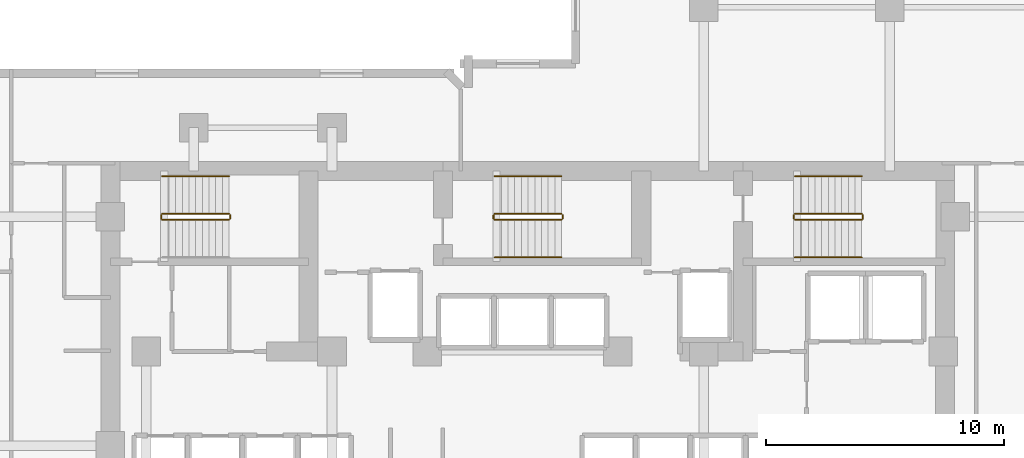
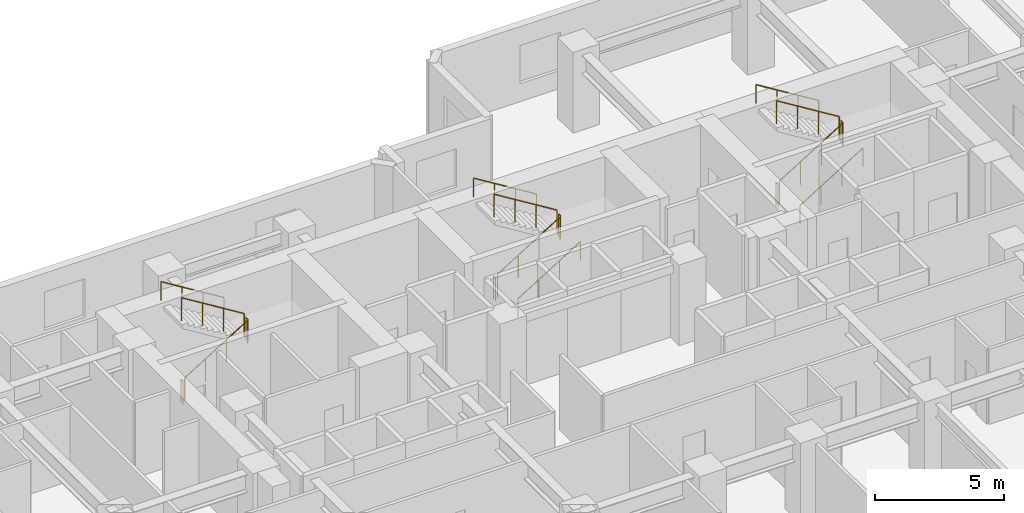
# One storey, part 12 of 12: 17 railings.
"""IFC4 building model written with IfcOpenShell, lengths in metres."""

from ifc_helpers import new_model, si_unit, direction, frame, origin, origin_2d, place, context, subcontext, project, spatial, circle, extrude, material, type_object, element, save


model = new_model("IFC4")

# Units and contexts
model_context = context("Model", 3, precision=1e-05, world=origin(), true_north=direction((0.0, 1.0)))
body_context = subcontext(model_context, "Body", "Model", "MODEL_VIEW")
ifc_project = project(units=[si_unit("LENGTHUNIT", "METRE"), si_unit("AREAUNIT", "SQUARE_METRE"), si_unit("VOLUMEUNIT", "CUBIC_METRE"), si_unit("PLANEANGLEUNIT", "RADIAN"), si_unit("MASSUNIT", "GRAM", prefix="KILO")], contexts=[model_context])

# Site, building, storey
site_placement = place(None, origin())
site = spatial("IfcSite", under=ifc_project, at=site_placement, CompositionType="ELEMENT")
building_placement = place(site_placement, origin())
building = spatial("IfcBuilding", under=site, at=building_placement, Name="Kestravale Grand Hotel", CompositionType="ELEMENT")
storey_placement = place(building_placement, frame((0.0, 0.0, 103.199951171875)))
storey = spatial("IfcBuildingStorey", under=building, at=storey_placement, Name="L25", CompositionType="ELEMENT", Elevation=103.199951171875)

# Railings
ifc_material_1 = material(Name="Painted tubular steel stair well guard", Category="steel")
railing_type_1 = type_object("IfcRailingType", Name="RL-ST-GRD1100", PredefinedType="GUARDRAIL", material=ifc_material_1)
railing_1_placement = place(storey_placement, frame((24.080078125, 38.280029296875, 0.1728515625)))
element("IfcRailing", 1, at=railing_1_placement, inside=storey, type_object=railing_type_1, Name="L25 ST-1 stair guard 1", PredefinedType="GUARDRAIL", context=body_context, shape_type="SweptSolid", body=[
    extrude(circle(Radius=0.02392578125, at=origin_2d()), frame((0.0, 0.0, 1.076171875), z_axis=(0.851069175582, 0.0, 0.525053576669), x_axis=(0.0, 1.0, 0.0)), (0.0, 0.0, 1.0), 3.289794921875),
    extrude(circle(Radius=0.02099609375, at=origin_2d()), origin(), (0.0, 0.0, 1.0), 1.052001953125),
    extrude(circle(Radius=0.02099609375, at=origin_2d()), frame((0.933349609375, 0.0, 0.57568359375)), (0.0, 0.0, 1.0), 1.052001953125),
    extrude(circle(Radius=0.02099609375, at=origin_2d()), frame((1.866455078125, 0.0, 1.151611328125)), (0.0, 0.0, 1.0), 1.052001953125),
    extrude(circle(Radius=0.02099609375, at=origin_2d()), frame((2.7998046875, 0.0, 1.727294921875)), (0.0, 0.0, 1.0), 1.052001953125),
])
railing_2_placement = place(storey_placement, frame((26.929931640625, 38.330078125, 1.900146484375)))
element("IfcRailing", 2, at=railing_2_placement, inside=storey, type_object=railing_type_1, Name="L25 ST-1 stair guard 2", PredefinedType="GUARDRAIL", context=body_context, shape_type="SweptSolid", body=[
    extrude(circle(Radius=0.02392578125, at=origin_2d()), frame((0.0, 0.0, 1.076171875), z_axis=(0.0, 1.0, 0.0), x_axis=(-1.0, 0.0, 0.0)), (0.0, 0.0, 1.0), 0.14990234375),
    extrude(circle(Radius=0.02099609375, at=origin_2d()), origin(), (0.0, 0.0, 1.0), 1.052001953125),
    extrude(circle(Radius=0.02099609375, at=origin_2d()), frame((0.0, 0.14990234375, 0.0)), (0.0, 0.0, 1.0), 1.052001953125),
])
railing_3_placement = place(storey_placement, frame((26.8798828125, 38.530029296875, 2.07275390625)))
element("IfcRailing", 3, at=railing_3_placement, inside=storey, type_object=railing_type_1, Name="L25 ST-1 stair guard 3", PredefinedType="GUARDRAIL", context=body_context, shape_type="SweptSolid", body=[
    extrude(circle(Radius=0.02392578125, at=origin_2d()), frame((0.0, 0.0, 1.076171875), z_axis=(-0.851069175582, 0.0, 0.525053576669), x_axis=(0.0, -1.0, 0.0)), (0.0, 0.0, 1.0), 3.289794921875),
    extrude(circle(Radius=0.02099609375, at=origin_2d()), origin(), (0.0, 0.0, 1.0), 1.052001953125),
    extrude(circle(Radius=0.02099609375, at=origin_2d()), frame((-0.933349609375, 0.0, 0.57568359375)), (0.0, 0.0, 1.0), 1.052001953125),
    extrude(circle(Radius=0.02099609375, at=origin_2d()), frame((-1.866455078125, 0.0, 1.151611328125)), (0.0, 0.0, 1.0), 1.052001953125),
    extrude(circle(Radius=0.02099609375, at=origin_2d()), frame((-2.7998046875, 0.0, 1.727294921875)), (0.0, 0.0, 1.0), 1.052001953125),
])
railing_4_placement = place(storey_placement, frame((24.030029296875, 38.330078125, 0.0)))
element("IfcRailing", 4, at=railing_4_placement, inside=storey, type_object=railing_type_1, Name="L25 ST-1 stair guard 4", PredefinedType="GUARDRAIL", context=body_context, shape_type="SweptSolid", body=[
    extrude(circle(Radius=0.02392578125, at=origin_2d()), frame((0.0, 0.0, 1.076171875), z_axis=(0.0, 1.0, 0.0), x_axis=(-1.0, 0.0, 0.0)), (0.0, 0.0, 1.0), 0.14990234375),
    extrude(circle(Radius=0.02099609375, at=origin_2d()), origin(), (0.0, 0.0, 1.0), 1.052001953125),
    extrude(circle(Radius=0.02099609375, at=origin_2d()), frame((0.0, 0.14990234375, 0.0)), (0.0, 0.0, 1.0), 1.052001953125),
])
railing_5_placement = place(storey_placement, frame((38.030029296875, 38.280029296875, 0.1728515625)))
element("IfcRailing", 5, at=railing_5_placement, inside=storey, type_object=railing_type_1, Name="L25 ST-2 stair guard 1", PredefinedType="GUARDRAIL", context=body_context, shape_type="SweptSolid", body=[
    extrude(circle(Radius=0.02392578125, at=origin_2d()), frame((0.0, 0.0, 1.076171875), z_axis=(0.851089632645, 0.0, 0.525020415988), x_axis=(0.0, 1.0, 0.0)), (0.0, 0.0, 1.0), 3.2900390625),
    extrude(circle(Radius=0.02099609375, at=origin_2d()), origin(), (0.0, 0.0, 1.0), 1.052001953125),
    extrude(circle(Radius=0.02099609375, at=origin_2d()), frame((0.933349609375, 0.0, 0.57568359375)), (0.0, 0.0, 1.0), 1.052001953125),
    extrude(circle(Radius=0.02099609375, at=origin_2d()), frame((1.86669921875, 0.0, 1.151611328125)), (0.0, 0.0, 1.0), 1.052001953125),
    extrude(circle(Radius=0.02099609375, at=origin_2d()), frame((2.800048828125, 0.0, 1.727294921875)), (0.0, 0.0, 1.0), 1.052001953125),
])
railing_6_placement = place(storey_placement, frame((40.8798828125, 38.330078125, 1.900146484375)))
element("IfcRailing", 6, at=railing_6_placement, inside=storey, type_object=railing_type_1, Name="L25 ST-2 stair guard 2", PredefinedType="GUARDRAIL", context=body_context, shape_type="SweptSolid", body=[
    extrude(circle(Radius=0.02392578125, at=origin_2d()), frame((0.0, 0.0, 1.076171875), z_axis=(0.0, 1.0, 0.0), x_axis=(-1.0, 0.0, 0.0)), (0.0, 0.0, 1.0), 0.14990234375),
    extrude(circle(Radius=0.02099609375, at=origin_2d()), origin(), (0.0, 0.0, 1.0), 1.052001953125),
    extrude(circle(Radius=0.02099609375, at=origin_2d()), frame((0.0, 0.14990234375, 0.0)), (0.0, 0.0, 1.0), 1.052001953125),
])
railing_7_placement = place(storey_placement, frame((40.830078125, 38.530029296875, 2.07275390625)))
element("IfcRailing", 7, at=railing_7_placement, inside=storey, type_object=railing_type_1, Name="L25 ST-2 stair guard 3", PredefinedType="GUARDRAIL", context=body_context, shape_type="SweptSolid", body=[
    extrude(circle(Radius=0.02392578125, at=origin_2d()), frame((0.0, 0.0, 1.076171875), z_axis=(-0.851089632645, 0.0, 0.525020415988), x_axis=(0.0, -1.0, 0.0)), (0.0, 0.0, 1.0), 3.2900390625),
    extrude(circle(Radius=0.02099609375, at=origin_2d()), origin(), (0.0, 0.0, 1.0), 1.052001953125),
    extrude(circle(Radius=0.02099609375, at=origin_2d()), frame((-0.933349609375, 0.0, 0.57568359375)), (0.0, 0.0, 1.0), 1.052001953125),
    extrude(circle(Radius=0.02099609375, at=origin_2d()), frame((-1.86669921875, 0.0, 1.151611328125)), (0.0, 0.0, 1.0), 1.052001953125),
    extrude(circle(Radius=0.02099609375, at=origin_2d()), frame((-2.800048828125, 0.0, 1.727294921875)), (0.0, 0.0, 1.0), 1.052001953125),
])
railing_8_placement = place(storey_placement, frame((37.97998046875, 38.330078125, 0.0)))
element("IfcRailing", 8, at=railing_8_placement, inside=storey, type_object=railing_type_1, Name="L25 ST-2 stair guard 4", PredefinedType="GUARDRAIL", context=body_context, shape_type="SweptSolid", body=[
    extrude(circle(Radius=0.02392578125, at=origin_2d()), frame((0.0, 0.0, 1.076171875), z_axis=(0.0, 1.0, 0.0), x_axis=(-1.0, 0.0, 0.0)), (0.0, 0.0, 1.0), 0.14990234375),
    extrude(circle(Radius=0.02099609375, at=origin_2d()), origin(), (0.0, 0.0, 1.0), 1.052001953125),
    extrude(circle(Radius=0.02099609375, at=origin_2d()), frame((0.0, 0.14990234375, 0.0)), (0.0, 0.0, 1.0), 1.052001953125),
])
railing_9_placement = place(storey_placement, frame((50.6298828125, 38.280029296875, 0.1728515625)))
element("IfcRailing", 9, at=railing_9_placement, inside=storey, type_object=railing_type_1, Name="L25 ST-3 stair guard 1", PredefinedType="GUARDRAIL", context=body_context, shape_type="SweptSolid", body=[
    extrude(circle(Radius=0.02392578125, at=origin_2d()), frame((0.0, 0.0, 1.076171875), z_axis=(0.851089632645, 0.0, 0.525020415988), x_axis=(0.0, 1.0, 0.0)), (0.0, 0.0, 1.0), 3.2900390625),
    extrude(circle(Radius=0.02099609375, at=origin_2d()), origin(), (0.0, 0.0, 1.0), 1.052001953125),
    extrude(circle(Radius=0.02099609375, at=origin_2d()), frame((0.933349609375, 0.0, 0.57568359375)), (0.0, 0.0, 1.0), 1.052001953125),
    extrude(circle(Radius=0.02099609375, at=origin_2d()), frame((1.86669921875, 0.0, 1.151611328125)), (0.0, 0.0, 1.0), 1.052001953125),
    extrude(circle(Radius=0.02099609375, at=origin_2d()), frame((2.800048828125, 0.0, 1.727294921875)), (0.0, 0.0, 1.0), 1.052001953125),
])
railing_10_placement = place(storey_placement, frame((53.47998046875, 38.330078125, 1.900146484375)))
element("IfcRailing", 10, at=railing_10_placement, inside=storey, type_object=railing_type_1, Name="L25 ST-3 stair guard 2", PredefinedType="GUARDRAIL", context=body_context, shape_type="SweptSolid", body=[
    extrude(circle(Radius=0.02392578125, at=origin_2d()), frame((0.0, 0.0, 1.076171875), z_axis=(0.0, 1.0, 0.0), x_axis=(-1.0, 0.0, 0.0)), (0.0, 0.0, 1.0), 0.14990234375),
    extrude(circle(Radius=0.02099609375, at=origin_2d()), origin(), (0.0, 0.0, 1.0), 1.052001953125),
    extrude(circle(Radius=0.02099609375, at=origin_2d()), frame((0.0, 0.14990234375, 0.0)), (0.0, 0.0, 1.0), 1.052001953125),
])
railing_11_placement = place(storey_placement, frame((53.429931640625, 38.530029296875, 2.07275390625)))
element("IfcRailing", 11, at=railing_11_placement, inside=storey, type_object=railing_type_1, Name="L25 ST-3 stair guard 3", PredefinedType="GUARDRAIL", context=body_context, shape_type="SweptSolid", body=[
    extrude(circle(Radius=0.02392578125, at=origin_2d()), frame((0.0, 0.0, 1.076171875), z_axis=(-0.851089632645, 0.0, 0.525020415988), x_axis=(0.0, -1.0, 0.0)), (0.0, 0.0, 1.0), 3.2900390625),
    extrude(circle(Radius=0.02099609375, at=origin_2d()), origin(), (0.0, 0.0, 1.0), 1.052001953125),
    extrude(circle(Radius=0.02099609375, at=origin_2d()), frame((-0.933349609375, 0.0, 0.57568359375)), (0.0, 0.0, 1.0), 1.052001953125),
    extrude(circle(Radius=0.02099609375, at=origin_2d()), frame((-1.86669921875, 0.0, 1.151611328125)), (0.0, 0.0, 1.0), 1.052001953125),
    extrude(circle(Radius=0.02099609375, at=origin_2d()), frame((-2.800048828125, 0.0, 1.727294921875)), (0.0, 0.0, 1.0), 1.052001953125),
])
railing_12_placement = place(storey_placement, frame((50.580078125, 38.330078125, 0.0)))
element("IfcRailing", 12, at=railing_12_placement, inside=storey, type_object=railing_type_1, Name="L25 ST-3 stair guard 4", PredefinedType="GUARDRAIL", context=body_context, shape_type="SweptSolid", body=[
    extrude(circle(Radius=0.02392578125, at=origin_2d()), frame((0.0, 0.0, 1.076171875), z_axis=(0.0, 1.0, 0.0), x_axis=(-1.0, 0.0, 0.0)), (0.0, 0.0, 1.0), 0.14990234375),
    extrude(circle(Radius=0.02099609375, at=origin_2d()), origin(), (0.0, 0.0, 1.0), 1.052001953125),
    extrude(circle(Radius=0.02099609375, at=origin_2d()), frame((0.0, 0.14990234375, 0.0)), (0.0, 0.0, 1.0), 1.052001953125),
])
ifc_material_2 = material(Name="Brushed stainless steel wall handrail", Category="steel")
railing_type_2 = type_object("IfcRailingType", Name="RL-ST-HND900", PredefinedType="HANDRAIL", material=ifc_material_2)
railing_13_placement = place(storey_placement, frame((26.8798828125, 40.110107421875, 2.07275390625)))
element("IfcRailing", 13, at=railing_13_placement, inside=storey, type_object=railing_type_2, Name="L25 ST-1 stair handrail 2", PredefinedType="HANDRAIL", context=body_context, shape_type="SweptSolid", body=[
    extrude(circle(Radius=0.02392578125, at=origin_2d()), frame((0.0, 0.0, 0.8759765625), z_axis=(-0.851069175582, 0.0, 0.525053576669), x_axis=(0.0, -1.0, 0.0)), (0.0, 0.0, 1.0), 3.289794921875),
    extrude(circle(Radius=0.02099609375, at=origin_2d()), origin(), (0.0, 0.0, 1.0), 0.851806640625),
    extrude(circle(Radius=0.02099609375, at=origin_2d()), frame((-0.933349609375, 0.0, 0.57568359375)), (0.0, 0.0, 1.0), 0.851806640625),
    extrude(circle(Radius=0.02099609375, at=origin_2d()), frame((-1.866455078125, 0.0, 1.151611328125)), (0.0, 0.0, 1.0), 0.851806640625),
    extrude(circle(Radius=0.02099609375, at=origin_2d()), frame((-2.7998046875, 0.0, 1.727294921875)), (0.0, 0.0, 1.0), 0.851806640625),
])
railing_14_placement = place(storey_placement, frame((38.030029296875, 36.699951171875, 0.1728515625)))
element("IfcRailing", 14, at=railing_14_placement, inside=storey, type_object=railing_type_2, Name="L25 ST-2 stair handrail 1", PredefinedType="HANDRAIL", context=body_context, shape_type="SweptSolid", body=[
    extrude(circle(Radius=0.02392578125, at=origin_2d()), frame((0.0, 0.0, 0.8759765625), z_axis=(0.851089632645, 0.0, 0.525020415988), x_axis=(0.0, 1.0, 0.0)), (0.0, 0.0, 1.0), 3.2900390625),
    extrude(circle(Radius=0.02099609375, at=origin_2d()), origin(), (0.0, 0.0, 1.0), 0.851806640625),
    extrude(circle(Radius=0.02099609375, at=origin_2d()), frame((0.933349609375, 0.0, 0.57568359375)), (0.0, 0.0, 1.0), 0.851806640625),
    extrude(circle(Radius=0.02099609375, at=origin_2d()), frame((1.86669921875, 0.0, 1.151611328125)), (0.0, 0.0, 1.0), 0.851806640625),
    extrude(circle(Radius=0.02099609375, at=origin_2d()), frame((2.800048828125, 0.0, 1.727294921875)), (0.0, 0.0, 1.0), 0.851806640625),
])
railing_15_placement = place(storey_placement, frame((40.830078125, 40.110107421875, 2.07275390625)))
element("IfcRailing", 15, at=railing_15_placement, inside=storey, type_object=railing_type_2, Name="L25 ST-2 stair handrail 2", PredefinedType="HANDRAIL", context=body_context, shape_type="SweptSolid", body=[
    extrude(circle(Radius=0.02392578125, at=origin_2d()), frame((0.0, 0.0, 0.8759765625), z_axis=(-0.851089632645, 0.0, 0.525020415988), x_axis=(0.0, -1.0, 0.0)), (0.0, 0.0, 1.0), 3.2900390625),
    extrude(circle(Radius=0.02099609375, at=origin_2d()), origin(), (0.0, 0.0, 1.0), 0.851806640625),
    extrude(circle(Radius=0.02099609375, at=origin_2d()), frame((-0.933349609375, 0.0, 0.57568359375)), (0.0, 0.0, 1.0), 0.851806640625),
    extrude(circle(Radius=0.02099609375, at=origin_2d()), frame((-1.86669921875, 0.0, 1.151611328125)), (0.0, 0.0, 1.0), 0.851806640625),
    extrude(circle(Radius=0.02099609375, at=origin_2d()), frame((-2.800048828125, 0.0, 1.727294921875)), (0.0, 0.0, 1.0), 0.851806640625),
])
railing_16_placement = place(storey_placement, frame((50.6298828125, 36.699951171875, 0.1728515625)))
element("IfcRailing", 16, at=railing_16_placement, inside=storey, type_object=railing_type_2, Name="L25 ST-3 stair handrail 1", PredefinedType="HANDRAIL", context=body_context, shape_type="SweptSolid", body=[
    extrude(circle(Radius=0.02392578125, at=origin_2d()), frame((0.0, 0.0, 0.8759765625), z_axis=(0.851089632645, 0.0, 0.525020415988), x_axis=(0.0, 1.0, 0.0)), (0.0, 0.0, 1.0), 3.2900390625),
    extrude(circle(Radius=0.02099609375, at=origin_2d()), origin(), (0.0, 0.0, 1.0), 0.851806640625),
    extrude(circle(Radius=0.02099609375, at=origin_2d()), frame((0.933349609375, 0.0, 0.57568359375)), (0.0, 0.0, 1.0), 0.851806640625),
    extrude(circle(Radius=0.02099609375, at=origin_2d()), frame((1.86669921875, 0.0, 1.151611328125)), (0.0, 0.0, 1.0), 0.851806640625),
    extrude(circle(Radius=0.02099609375, at=origin_2d()), frame((2.800048828125, 0.0, 1.727294921875)), (0.0, 0.0, 1.0), 0.851806640625),
])
railing_17_placement = place(storey_placement, frame((53.429931640625, 40.110107421875, 2.07275390625)))
element("IfcRailing", 17, at=railing_17_placement, inside=storey, type_object=railing_type_2, Name="L25 ST-3 stair handrail 2", PredefinedType="HANDRAIL", context=body_context, shape_type="SweptSolid", body=[
    extrude(circle(Radius=0.02392578125, at=origin_2d()), frame((0.0, 0.0, 0.8759765625), z_axis=(-0.851089632645, 0.0, 0.525020415988), x_axis=(0.0, -1.0, 0.0)), (0.0, 0.0, 1.0), 3.2900390625),
    extrude(circle(Radius=0.02099609375, at=origin_2d()), origin(), (0.0, 0.0, 1.0), 0.851806640625),
    extrude(circle(Radius=0.02099609375, at=origin_2d()), frame((-0.933349609375, 0.0, 0.57568359375)), (0.0, 0.0, 1.0), 0.851806640625),
    extrude(circle(Radius=0.02099609375, at=origin_2d()), frame((-1.86669921875, 0.0, 1.151611328125)), (0.0, 0.0, 1.0), 0.851806640625),
    extrude(circle(Radius=0.02099609375, at=origin_2d()), frame((-2.800048828125, 0.0, 1.727294921875)), (0.0, 0.0, 1.0), 0.851806640625),
])

save(model, "model.ifc")
